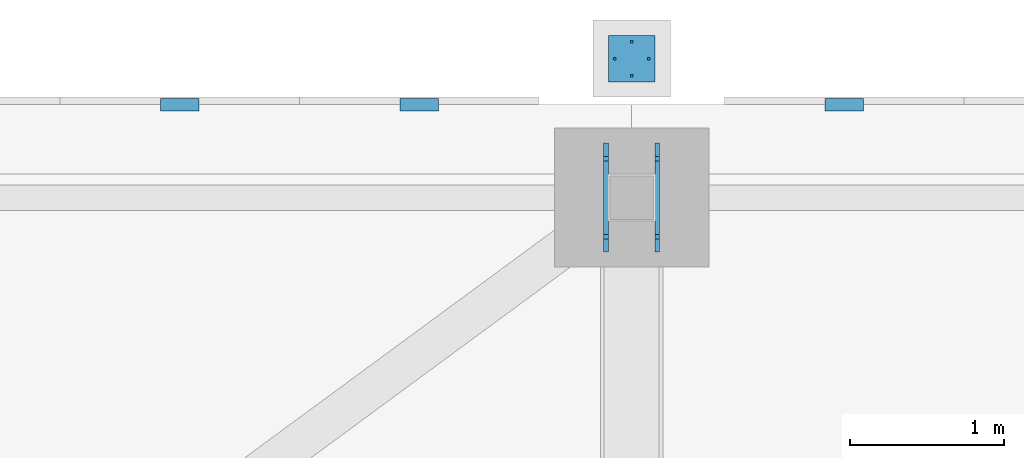
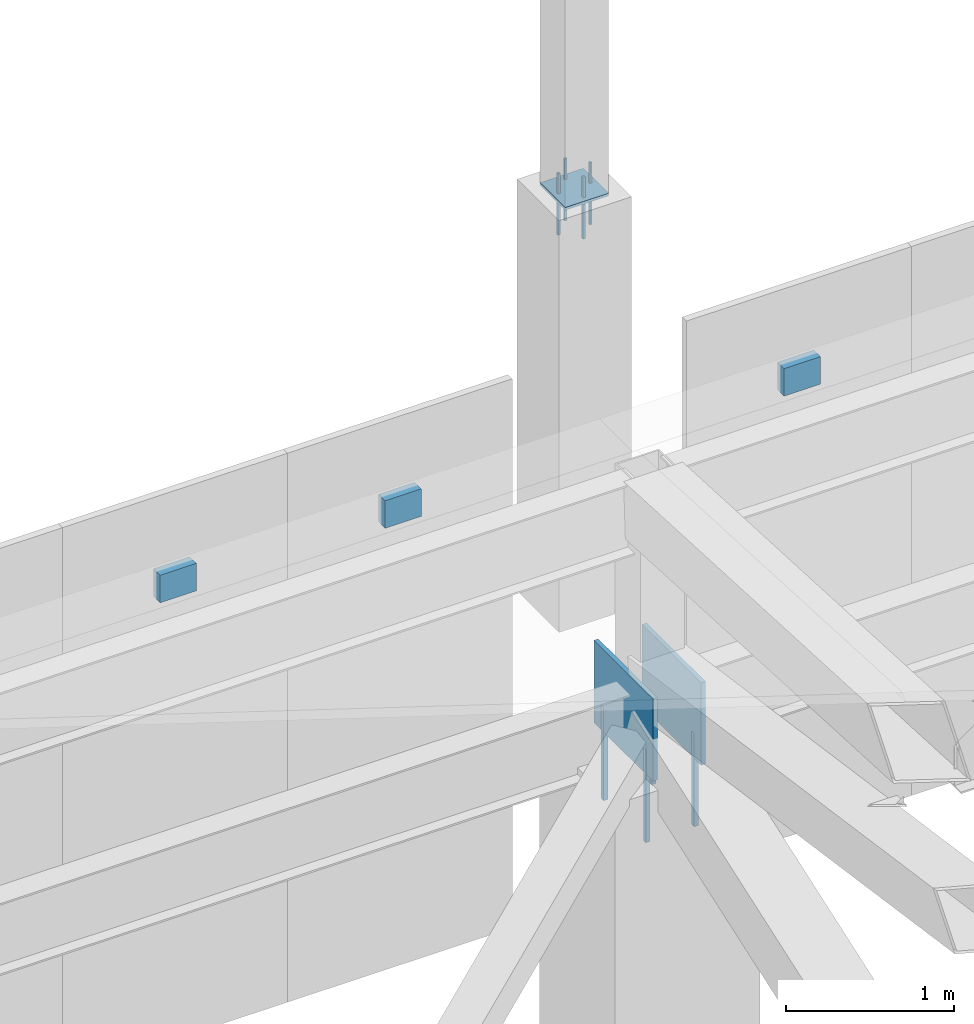
# One storey, part 239 of 278: 8 mechanical fasteners, 6 discrete accessories.
"""IFC4 building model written with IfcOpenShell, lengths in metres."""

from ifc_helpers import new_model, si_unit, direction, frame, origin, origin_2d, place, context, subcontext, project, spatial, rectangle, extrude, material, layer, layer_set, type_object, element, save


model = new_model("IFC4")

# Units and contexts
model_context = context("Model", 3, precision=1e-05, world=origin(), true_north=direction((0.0, 1.0)))
body_context = subcontext(model_context, "Body", "Model", "MODEL_VIEW")
ifc_project = project(units=[si_unit("LENGTHUNIT", "METRE"), si_unit("AREAUNIT", "SQUARE_METRE"), si_unit("VOLUMEUNIT", "CUBIC_METRE"), si_unit("PLANEANGLEUNIT", "RADIAN"), si_unit("MASSUNIT", "GRAM", prefix="KILO")], contexts=[model_context])

# Site, building, storey
site_placement = place(None, origin())
site = spatial("IfcSite", under=ifc_project, at=site_placement, CompositionType="ELEMENT")
building_placement = place(site_placement, origin())
building = spatial("IfcBuilding", under=site, at=building_placement, Name="Ogive Plaza Stadium", CompositionType="ELEMENT")
storey_placement = place(building_placement, frame((0.0, 0.0, 29.0)))
storey = spatial("IfcBuildingStorey", under=building, at=storey_placement, Name="Roof", CompositionType="ELEMENT", Elevation=29.0)

# Mechanical fasteners
ifc_material_1 = material(Name="Steel ASTM A992 Grade 50", Category="steel")
mechanical_fastener_type_1 = type_object("IfcMechanicalFastenerType", Name="Anchor bolt M30 x 600", PredefinedType="ANCHORBOLT", material=ifc_material_1)
for number, where, z_axis, x_axis, name in (
    (1, (6.633544921875, 102.75244140625, 3.0), (0.0, 0.0, 1.0), (0.0, 1.0, 0.0), "ANCHOR BOLT 35 BF 1.1"),
    (2, (6.633544921875, 102.24755859375, 3.0), (0.0, 0.0, 1.0), (0.0, 1.0, 0.0), "ANCHOR BOLT 35 BF 1.2"),
    (3, (6.96630859375, 102.75244140625, 3.0), (0.0, 0.0, 1.0), (0.0, 1.0, 0.0), "ANCHOR BOLT 35 BF 2.1"),
    (4, (6.96630859375, 102.24755859375, 3.0), (0.0, 0.0, 1.0), (0.0, 1.0, 0.0), "ANCHOR BOLT 35 BF 2.2"),
):
    element("IfcMechanicalFastener", number, at=place(storey_placement, frame(where, z_axis=z_axis, x_axis=x_axis)), inside=storey, type_object=mechanical_fastener_type_1, Name=name, PredefinedType="ANCHORBOLT", context=body_context, shape_type="SweptSolid", body=[
        extrude(rectangle(XDim=0.030029296875, YDim=0.030029296875, at=origin_2d()), origin(), (0.0, 0.0, 1.0), 0.679931640625),
    ])
ifc_material_2 = material(Name="Steel ASTM A992 Grade 50", Category="steel")
mechanical_fastener_type_2 = type_object("IfcMechanicalFastenerType", Name="Spire anchor bolt M16 x 450", PredefinedType="ANCHORBOLT", material=ifc_material_2)
for number, where, z_axis, x_axis, name in (
    (5, (6.800048828125, 103.510009765625, 6.7001953125), (0.0, 0.0, 1.0), (0.0, 1.0, 0.0), "SPIRE ANCHOR BOLT 35 1"),
    (6, (6.800048828125, 103.2900390625, 6.7001953125), (0.0, 0.0, 1.0), (0.0, 1.0, 0.0), "SPIRE ANCHOR BOLT 35 2"),
    (7, (6.68994140625, 103.39990234375, 6.7001953125), (0.0, 0.0, 1.0), (0.0, 1.0, 0.0), "SPIRE ANCHOR BOLT 35 3"),
    (8, (6.909912109375, 103.39990234375, 6.7001953125), (0.0, 0.0, 1.0), (0.0, 1.0, 0.0), "SPIRE ANCHOR BOLT 35 4"),
):
    element("IfcMechanicalFastener", number, at=place(storey_placement, frame(where, z_axis=z_axis, x_axis=x_axis)), inside=storey, type_object=mechanical_fastener_type_2, Name=name, PredefinedType="ANCHORBOLT", context=body_context, shape_type="SweptSolid", body=[
        extrude(rectangle(XDim=0.01611328125, YDim=0.01611328125, at=origin_2d()), origin(), (0.0, 0.0, 1.0), 0.449951171875),
    ])

# Discrete accessories
ifc_material_3 = material(Name="Steel ASTM A992 Grade 50", Category="steel")
ifc_layer_1 = layer(ifc_material_3, 0.02001953125)
ifc_layer_set_1 = layer_set([ifc_layer_1], Name="Steel ASTM A992 Grade 50")
discrete_accessory_type_1 = type_object("IfcDiscreteAccessoryType", Name="Spire seat plate 20", PredefinedType="ANCHORPLATE", material=ifc_layer_set_1)
discrete_accessory_placement = place(storey_placement, frame((6.800048828125, 103.39990234375, 6.98095703125), z_axis=(0.0, 0.0, 1.0), x_axis=(0.0, 1.0, 0.0)))
element("IfcDiscreteAccessory", 9, at=discrete_accessory_placement, inside=storey, type_object=discrete_accessory_type_1, Name="SPIRE SEAT PLATE 35", PredefinedType="ANCHORPLATE", context=body_context, shape_type="SweptSolid", body=[
    extrude(rectangle(XDim=0.300048828125, YDim=0.300048828125, at=origin_2d()), origin(), (0.0, 0.0, 1.0), 0.02001953125),
])
ifc_material_4 = material(Name="Steel ASTM A572 Grade 50", Category="steel")
ifc_layer_2 = layer(ifc_material_4, 0.080078125)
ifc_layer_set_2 = layer_set([ifc_layer_2], Name="Steel ASTM A572 Grade 50")
discrete_accessory_type_2 = type_object("IfcDiscreteAccessoryType", Name="Tracery screen bracket 250x200", PredefinedType="BRACKET", material=ifc_layer_set_2)
for number, where, z_axis, x_axis, name in (
    (10, (3.875, 103.102294921875, 5.25), (0.0, 0.0, 1.0), (1.0, 0.0, 0.0), "TRACERY SCREEN BRACKET B34 7"),
    (11, (5.425048828125, 103.102294921875, 5.25), (0.0, 0.0, 1.0), (1.0, 0.0, 0.0), "TRACERY SCREEN BRACKET B34 8"),
    (12, (8.175048828125, 103.102294921875, 5.25), (0.0, 0.0, 1.0), (1.0, 0.0, 0.0), "TRACERY SCREEN BRACKET B35 1"),
):
    element("IfcDiscreteAccessory", number, at=place(storey_placement, frame(where, z_axis=z_axis, x_axis=x_axis)), inside=storey, type_object=discrete_accessory_type_2, Name=name, PredefinedType="BRACKET", context=body_context, shape_type="SweptSolid", body=[
        extrude(rectangle(XDim=0.25, YDim=0.080078125, at=origin_2d()), origin(), (0.0, 0.0, 1.0), 0.199951171875),
    ])
ifc_material_5 = material(Name="Steel ASTM A992 Grade 50", Category="steel")
ifc_layer_3 = layer(ifc_material_5, 0.030029296875)
ifc_layer_set_3 = layer_set([ifc_layer_3], Name="Steel ASTM A992 Grade 50")
discrete_accessory_type_3 = type_object("IfcDiscreteAccessoryType", Name="Truss back-stay foot cleat plate 30", PredefinedType="ANCHORPLATE", material=ifc_layer_set_3)
for number, where, z_axis, x_axis, name in (
    (13, (6.633544921875, 102.5, 3.5), (0.0, 0.0, 1.0), (0.0, 1.0, 0.0), "TRUSS BACK-STAY FOOT CLEAT PLATE 35 1"),
    (14, (6.96630859375, 102.5, 3.5), (0.0, 0.0, 1.0), (0.0, 1.0, 0.0), "TRUSS BACK-STAY FOOT CLEAT PLATE 35 2"),
):
    element("IfcDiscreteAccessory", number, at=place(storey_placement, frame(where, z_axis=z_axis, x_axis=x_axis)), inside=storey, type_object=discrete_accessory_type_3, Name=name, PredefinedType="ANCHORPLATE", context=body_context, shape_type="SweptSolid", body=[
        extrude(rectangle(XDim=0.704833984375, YDim=0.030029296875, at=origin_2d()), origin(), (0.0, 0.0, 1.0), 0.60009765625),
    ])

save(model, "model.ifc")
